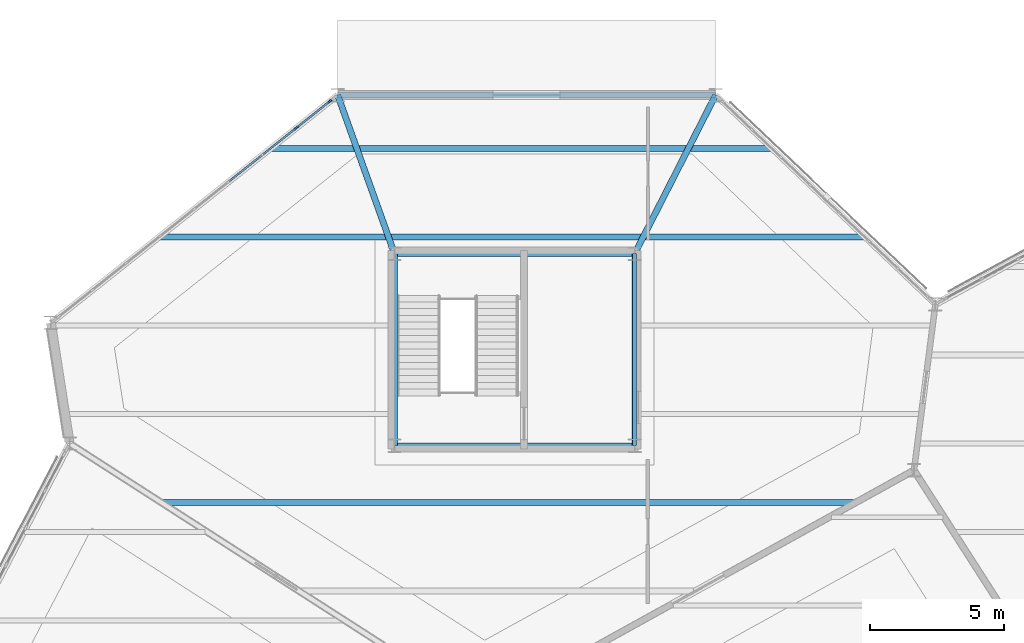
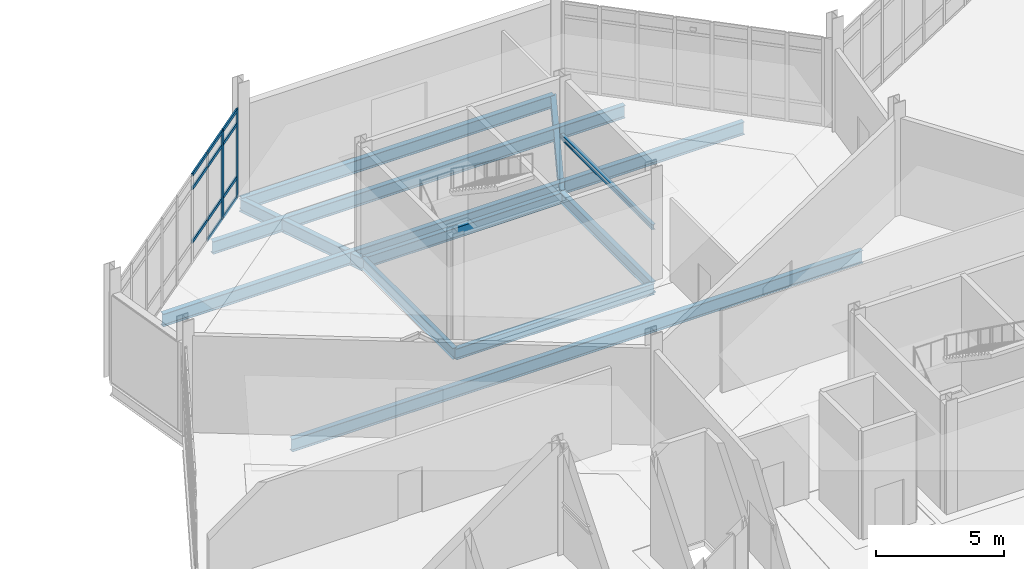
# One storey, part 52 of 113: 13 members, 11 beams, 1 element without a shape of its own.
"""IFC4 building model written with IfcOpenShell, lengths in metres."""

from ifc_helpers import new_model, si_unit, direction, frame, origin, origin_2d, place, context, subcontext, project, spatial, rectangle, i_section, extrude, material, material_profile, profile_set, type_object, element, aggregate, save


model = new_model("IFC4")

# Units and contexts
model_context = context("Model", 3, precision=1e-05, world=origin(), true_north=direction((0.0, 1.0)))
body_context = subcontext(model_context, "Body", "Model", "MODEL_VIEW")
ifc_project = project(units=[si_unit("LENGTHUNIT", "METRE"), si_unit("AREAUNIT", "SQUARE_METRE"), si_unit("VOLUMEUNIT", "CUBIC_METRE"), si_unit("PLANEANGLEUNIT", "RADIAN"), si_unit("MASSUNIT", "GRAM", prefix="KILO")], contexts=[model_context])

# Site, building, storey
site_placement = place(None, origin())
site = spatial("IfcSite", under=ifc_project, at=site_placement, CompositionType="ELEMENT")
building_placement = place(site_placement, origin())
building = spatial("IfcBuilding", under=site, at=building_placement, Name="Tameran Prism Museum", CompositionType="ELEMENT")
storey_placement = place(building_placement, origin())
storey = spatial("IfcBuildingStorey", under=building, at=storey_placement, Name="L00", CompositionType="ELEMENT", Elevation=0.0)

# Beams
ifc_material_1 = material(Name="Steel Grade 300PLUS (300 MPa)", Category="steel")
ifc_material_profile_1 = material_profile(ifc_material_1, i_section(OverallWidth=0.14599609375, OverallDepth=0.256103515625, WebThickness=0.00634765625, FlangeThickness=0.010986328125, FilletRadius=0.0087890625, at=origin_2d()))
ifc_profile_set_1 = profile_set([ifc_material_profile_1])
beam_type_1 = type_object("IfcBeamType", Name="BM-L250", PredefinedType="LINTEL", material=ifc_profile_set_1)
beam_1_placement = place(storey_placement, frame((124.47998046875, 98.919921875, 2.3798828125), z_axis=(0.0, 1.0, 0.0), x_axis=(-1.0, 0.0, 0.0)))
element("IfcBeam", 1, at=beam_1_placement, inside=storey, type_object=beam_type_1, Name="Core Door Lintel LN-03", PredefinedType="LINTEL", context=body_context, shape_type="SweptSolid", body=[
    extrude(i_section(OverallWidth=0.14599609375, OverallDepth=0.256103515625, WebThickness=0.00634765625, FlangeThickness=0.010986328125, FilletRadius=0.0087890625, at=origin_2d()), origin(), (0.0, 0.0, 1.0), 7.16015625),
])
ifc_material_2 = material(Name="Steel Grade 300PLUS (300 MPa)", Category="steel")
ifc_material_profile_2 = material_profile(ifc_material_2, i_section(OverallWidth=0.208984375, OverallDepth=0.528076171875, WebThickness=0.009521484375, FlangeThickness=0.01318359375, FilletRadius=0.013916015625, at=origin_2d()))
ifc_profile_set_2 = profile_set([ifc_material_profile_2])
beam_type_2 = type_object("IfcBeamType", Name="BM-SP530B", PredefinedType="SPANDREL", material=ifc_profile_set_2)
beam_2_placement = place(storey_placement, frame((115.52001953125, 98.919921875, -0.50390625), z_axis=(1.0, 0.0, 0.0), x_axis=(0.0, 1.0, 0.0)))
element("IfcBeam", 2, at=beam_2_placement, inside=storey, type_object=beam_type_2, Name="Core Ring Beam CTB-0110", PredefinedType="SPANDREL", context=body_context, shape_type="SweptSolid", body=[
    extrude(i_section(OverallWidth=0.208984375, OverallDepth=0.528076171875, WebThickness=0.009521484375, FlangeThickness=0.01318359375, FilletRadius=0.013916015625, at=origin_2d()), origin(), (0.0, 0.0, 1.0), 8.9599609375),
])
beam_3_placement = place(storey_placement, frame((124.47998046875, 98.919921875, -0.50390625), z_axis=(0.0, 1.0, 0.0), x_axis=(-1.0, 0.0, 0.0)))
element("IfcBeam", 3, at=beam_3_placement, inside=storey, type_object=beam_type_2, Name="Core Ring Beam CTB-0111", PredefinedType="SPANDREL", context=body_context, shape_type="SweptSolid", body=[
    extrude(i_section(OverallWidth=0.208984375, OverallDepth=0.528076171875, WebThickness=0.009521484375, FlangeThickness=0.01318359375, FilletRadius=0.013916015625, at=origin_2d()), origin(), (0.0, 0.0, 1.0), 7.16015625),
])
beam_4_placement = place(storey_placement, frame((124.47998046875, 106.080078125, -0.50390625), z_axis=(-1.0, 0.0, 0.0), x_axis=(0.0, -1.0, 0.0)))
element("IfcBeam", 4, at=beam_4_placement, inside=storey, type_object=beam_type_2, Name="Core Ring Beam CTB-0112", PredefinedType="SPANDREL", context=body_context, shape_type="SweptSolid", body=[
    extrude(i_section(OverallWidth=0.208984375, OverallDepth=0.528076171875, WebThickness=0.009521484375, FlangeThickness=0.01318359375, FilletRadius=0.013916015625, at=origin_2d()), origin(), (0.0, 0.0, 1.0), 8.9599609375),
])
beam_5_placement = place(storey_placement, frame((115.52001953125, 106.080078125, -0.50390625), z_axis=(0.0, -1.0, 0.0), x_axis=(1.0, 0.0, 0.0)))
element("IfcBeam", 5, at=beam_5_placement, inside=storey, type_object=beam_type_2, Name="Core Ring Beam CTB-0113", PredefinedType="SPANDREL", context=body_context, shape_type="SweptSolid", body=[
    extrude(i_section(OverallWidth=0.208984375, OverallDepth=0.528076171875, WebThickness=0.009521484375, FlangeThickness=0.01318359375, FilletRadius=0.013916015625, at=origin_2d()), origin(), (0.0, 0.0, 1.0), 7.16015625),
])
ifc_material_3 = material(Name="Steel Grade 300PLUS (300 MPa)", Category="steel")
ifc_material_profile_3 = material_profile(ifc_material_3, i_section(OverallWidth=0.22802734375, OverallDepth=0.60205078125, WebThickness=0.010498046875, FlangeThickness=0.014892578125, FilletRadius=0.013916015625, at=origin_2d()))
ifc_profile_set_3 = profile_set([ifc_material_profile_3])
beam_type_3 = type_object("IfcBeamType", Name="BM-SP610", PredefinedType="SPANDREL", material=ifc_profile_set_3)
beam_6_placement = place(storey_placement, frame((127.5, 112.0, -0.541015625), z_axis=(-1.0, 0.0, 0.0), x_axis=(0.0, -1.0, 0.0)))
element("IfcBeam", 6, at=beam_6_placement, inside=storey, type_object=beam_type_3, Name="Perimeter Spandrel SP-0013", PredefinedType="SPANDREL", context=body_context, shape_type="SweptSolid", body=[
    extrude(i_section(OverallWidth=0.22802734375, OverallDepth=0.60205078125, WebThickness=0.010498046875, FlangeThickness=0.014892578125, FilletRadius=0.013916015625, at=origin_2d()), origin(), (0.0, 0.0, 1.0), 14.10009765625),
])
ifc_material_4 = material(Name="Steel Grade 300PLUS (300 MPa)", Category="steel")
ifc_material_profile_4 = material_profile(ifc_material_4, i_section(OverallWidth=0.22900390625, OverallDepth=0.612060546875, WebThickness=0.011962890625, FlangeThickness=0.01953125, FilletRadius=0.013916015625, at=origin_2d()))
ifc_profile_set_4 = profile_set([ifc_material_profile_4])
beam_type_4 = type_object("IfcBeamType", Name="BM-UB610A", PredefinedType="BEAM", material=ifc_profile_set_4)
beam_7_placement = place(storey_placement, frame((124.47998046875, 106.080078125, -0.56005859375), z_axis=(0.454428700182, 0.890783114148, 0.0), x_axis=(-0.890783114148, 0.454428700182, 0.0)))
element("IfcBeam", 7, at=beam_7_placement, inside=storey, type_object=beam_type_4, Name="Frame Tie Girder FG-1398", PredefinedType="BEAM", context=body_context, shape_type="SweptSolid", body=[
    extrude(i_section(OverallWidth=0.22900390625, OverallDepth=0.612060546875, WebThickness=0.011962890625, FlangeThickness=0.01953125, FilletRadius=0.013916015625, at=origin_2d()), origin(), (0.0, 0.0, 1.0), 6.645751953125),
])
beam_8_placement = place(storey_placement, frame((115.52001953125, 106.080078125, -0.56005859375), z_axis=(-0.337162675886, 0.941446403142, 0.0), x_axis=(-0.941446403142, -0.337162675886, 0.0)))
element("IfcBeam", 8, at=beam_8_placement, inside=storey, type_object=beam_type_4, Name="Frame Tie Girder FG-1404", PredefinedType="BEAM", context=body_context, shape_type="SweptSolid", body=[
    extrude(i_section(OverallWidth=0.22900390625, OverallDepth=0.612060546875, WebThickness=0.011962890625, FlangeThickness=0.01953125, FilletRadius=0.013916015625, at=origin_2d()), origin(), (0.0, 0.0, 1.0), 6.2880859375),
])
ifc_material_5 = material(Name="Steel Grade 300PLUS (300 MPa)", Category="steel")
ifc_material_profile_5 = material_profile(ifc_material_5, i_section(OverallWidth=0.22802734375, OverallDepth=0.60693359375, WebThickness=0.01123046875, FlangeThickness=0.017333984375, FilletRadius=0.013916015625, at=origin_2d()))
ifc_profile_set_5 = profile_set([ifc_material_profile_5])
beam_type_5 = type_object("IfcBeamType", Name="BM-UB610B", PredefinedType="BEAM", material=ifc_profile_set_5)
beam_9_placement = place(storey_placement, frame((106.89599609375, 96.800048828125, -0.54345703125), z_axis=(1.0, 0.0, 0.0), x_axis=(0.0, 1.0, 0.0)))
element("IfcBeam", 9, at=beam_9_placement, inside=storey, type_object=beam_type_5, Name="Floor Beam BM-0183", PredefinedType="BEAM", context=body_context, shape_type="SweptSolid", body=[
    extrude(i_section(OverallWidth=0.22802734375, OverallDepth=0.60693359375, WebThickness=0.01123046875, FlangeThickness=0.017333984375, FilletRadius=0.013916015625, at=origin_2d()), origin(), (0.0, 0.0, 1.0), 25.7509765625),
])
beam_10_placement = place(storey_placement, frame((106.79296875, 106.699951171875, -0.54345703125), z_axis=(1.0, 0.0, 0.0), x_axis=(0.0, 1.0, 0.0)))
element("IfcBeam", 10, at=beam_10_placement, inside=storey, type_object=beam_type_5, Name="Floor Beam BM-0188", PredefinedType="BEAM", context=body_context, shape_type="SweptSolid", body=[
    extrude(i_section(OverallWidth=0.22802734375, OverallDepth=0.60693359375, WebThickness=0.01123046875, FlangeThickness=0.017333984375, FilletRadius=0.013916015625, at=origin_2d()), origin(), (0.0, 0.0, 1.0), 26.220947265625),
])
beam_11_placement = place(storey_placement, frame((110.947021484375, 110.0, -0.54345703125), z_axis=(1.0, 0.0, 0.0), x_axis=(0.0, 1.0, 0.0)))
element("IfcBeam", 11, at=beam_11_placement, inside=storey, type_object=beam_type_5, Name="Floor Beam BM-0189", PredefinedType="BEAM", context=body_context, shape_type="SweptSolid", body=[
    extrude(i_section(OverallWidth=0.22802734375, OverallDepth=0.60693359375, WebThickness=0.01123046875, FlangeThickness=0.017333984375, FilletRadius=0.013916015625, at=origin_2d()), origin(), (0.0, 0.0, 1.0), 18.597900390625),
])

# Curtain wall, members
ifc_material_6 = material(Name="Anodised Aluminium 6063-T6 and Cyclone Solar Glass", Category="aluminium")
curtain_wall_type = type_object("IfcCurtainWallType", Name="CW-FAC-1296x422", PredefinedType="USERDEFINED", material=ifc_material_6)
curtain_wall_placement = place(storey_placement, origin())
curtain_wall = element("IfcCurtainWall", 12, at=curtain_wall_placement, inside=storey, type_object=curtain_wall_type, Name="Unitised Curtain Wall CW-024", ObjectType="UNITISED CURTAIN WALL", PredefinedType="USERDEFINED")
ifc_material_7 = material(Name="Anodised Aluminium Alloy 6063-T6", Category="aluminium")
ifc_material_profile_6 = material_profile(ifc_material_7, rectangle(XDim=0.070068359375, YDim=0.179931640625, at=origin_2d()))
ifc_profile_set_6 = profile_set([ifc_material_profile_6])
member_type_1 = type_object("IfcMemberType", Name="CW-MUL-B", PredefinedType="MULLION", material=ifc_profile_set_6)
member_1_placement = place(storey_placement, frame((111.85693359375, 110.77392578125, 0.0), z_axis=(0.0, 0.0, 1.0), x_axis=(-0.621982306183, 0.783031296178, 0.0)))
member_1 = element("IfcMember", 13, at=member_1_placement, type_object=member_type_1, Name="CW-024 mullion 8", PredefinedType="MULLION", context=body_context, shape_type="SweptSolid", body=[
    extrude(rectangle(XDim=0.070068359375, YDim=0.179931640625, at=origin_2d()), origin(), (0.0, 0.0, 1.0), 4.219970703125),
])
member_2_placement = place(storey_placement, frame((113.0986328125, 111.76025390625, 0.0), z_axis=(0.0, 0.0, 1.0), x_axis=(-0.621982306183, 0.783031296178, 0.0)))
member_2 = element("IfcMember", 14, at=member_2_placement, type_object=member_type_1, Name="CW-024 mullion 9", PredefinedType="MULLION", context=body_context, shape_type="SweptSolid", body=[
    extrude(rectangle(XDim=0.070068359375, YDim=0.179931640625, at=origin_2d()), origin(), (0.0, 0.0, 1.0), 4.219970703125),
])
ifc_material_8 = material(Name="Anodised Aluminium Alloy 6063-T6", Category="aluminium")
ifc_material_profile_7 = material_profile(ifc_material_8, rectangle(XDim=0.070068359375, YDim=0.155029296875, at=origin_2d()))
ifc_profile_set_7 = profile_set([ifc_material_profile_7])
member_type_2 = type_object("IfcMemberType", Name="CW-TRN-B", PredefinedType="USERDEFINED", material=ifc_profile_set_7)
member_3_placement = place(storey_placement, frame((109.346435546875, 108.77978515625, 1.0), z_axis=(0.783045436968, 0.621964503524, 0.0), x_axis=(-0.621964503524, 0.783045436968, 0.0)))
member_3 = element("IfcMember", 15, at=member_3_placement, type_object=member_type_2, Name="CW-024 transom 6.2", ObjectType="TRANSOM", PredefinedType="USERDEFINED", context=body_context, shape_type="SweptSolid", body=[
    extrude(rectangle(XDim=0.070068359375, YDim=0.155029296875, at=origin_2d()), origin(), (0.0, 0.0, 1.0), 1.550537109375),
])
member_4_placement = place(storey_placement, frame((109.346435546875, 108.77978515625, 3.5400390625), z_axis=(0.783045436968, 0.621964503524, 0.0), x_axis=(-0.621964503524, 0.783045436968, 0.0)))
member_4 = element("IfcMember", 16, at=member_4_placement, type_object=member_type_2, Name="CW-024 transom 6.3", ObjectType="TRANSOM", PredefinedType="USERDEFINED", context=body_context, shape_type="SweptSolid", body=[
    extrude(rectangle(XDim=0.070068359375, YDim=0.155029296875, at=origin_2d()), origin(), (0.0, 0.0, 1.0), 1.550537109375),
])
member_5_placement = place(storey_placement, frame((109.346435546875, 108.77978515625, 4.18505859375), z_axis=(0.783045436968, 0.621964503524, 0.0), x_axis=(-0.621964503524, 0.783045436968, 0.0)))
member_5 = element("IfcMember", 17, at=member_5_placement, type_object=member_type_2, Name="CW-024 transom 6.4", ObjectType="TRANSOM", PredefinedType="USERDEFINED", context=body_context, shape_type="SweptSolid", body=[
    extrude(rectangle(XDim=0.070068359375, YDim=0.155029296875, at=origin_2d()), origin(), (0.0, 0.0, 1.0), 1.550537109375),
])
member_6_placement = place(storey_placement, frame((110.615478515625, 109.787841796875, 0.034912109375), z_axis=(0.783045436968, 0.621964503524, 0.0), x_axis=(-0.621964503524, 0.783045436968, 0.0)))
member_6 = element("IfcMember", 18, at=member_6_placement, type_object=member_type_2, Name="CW-024 transom 7.1", ObjectType="TRANSOM", PredefinedType="USERDEFINED", context=body_context, shape_type="SweptSolid", body=[
    extrude(rectangle(XDim=0.070068359375, YDim=0.155029296875, at=origin_2d()), origin(), (0.0, 0.0, 1.0), 1.550537109375),
])
member_7_placement = place(storey_placement, frame((110.615478515625, 109.787841796875, 1.0), z_axis=(0.783045436968, 0.621964503524, 0.0), x_axis=(-0.621964503524, 0.783045436968, 0.0)))
member_7 = element("IfcMember", 19, at=member_7_placement, type_object=member_type_2, Name="CW-024 transom 7.2", ObjectType="TRANSOM", PredefinedType="USERDEFINED", context=body_context, shape_type="SweptSolid", body=[
    extrude(rectangle(XDim=0.070068359375, YDim=0.155029296875, at=origin_2d()), origin(), (0.0, 0.0, 1.0), 1.550537109375),
])
member_8_placement = place(storey_placement, frame((110.615478515625, 109.787841796875, 3.5400390625), z_axis=(0.783045436968, 0.621964503524, 0.0), x_axis=(-0.621964503524, 0.783045436968, 0.0)))
member_8 = element("IfcMember", 20, at=member_8_placement, type_object=member_type_2, Name="CW-024 transom 7.3", ObjectType="TRANSOM", PredefinedType="USERDEFINED", context=body_context, shape_type="SweptSolid", body=[
    extrude(rectangle(XDim=0.070068359375, YDim=0.155029296875, at=origin_2d()), origin(), (0.0, 0.0, 1.0), 1.550537109375),
])
member_9_placement = place(storey_placement, frame((110.615478515625, 109.787841796875, 4.18505859375), z_axis=(0.783045436968, 0.621964503524, 0.0), x_axis=(-0.621964503524, 0.783045436968, 0.0)))
member_9 = element("IfcMember", 21, at=member_9_placement, type_object=member_type_2, Name="CW-024 transom 7.4", ObjectType="TRANSOM", PredefinedType="USERDEFINED", context=body_context, shape_type="SweptSolid", body=[
    extrude(rectangle(XDim=0.070068359375, YDim=0.155029296875, at=origin_2d()), origin(), (0.0, 0.0, 1.0), 1.550537109375),
])
member_10_placement = place(storey_placement, frame((111.884521484375, 110.795654296875, 0.034912109375), z_axis=(0.782970092549, 0.622059349398, 0.0), x_axis=(-0.622059349398, 0.782970092549, 0.0)))
member_10 = element("IfcMember", 22, at=member_10_placement, type_object=member_type_2, Name="CW-024 transom 8.1", ObjectType="TRANSOM", PredefinedType="USERDEFINED", context=body_context, shape_type="SweptSolid", body=[
    extrude(rectangle(XDim=0.070068359375, YDim=0.155029296875, at=origin_2d()), origin(), (0.0, 0.0, 1.0), 1.515625),
])
member_11_placement = place(storey_placement, frame((111.884521484375, 110.795654296875, 1.0), z_axis=(0.782970092549, 0.622059349398, 0.0), x_axis=(-0.622059349398, 0.782970092549, 0.0)))
member_11 = element("IfcMember", 23, at=member_11_placement, type_object=member_type_2, Name="CW-024 transom 8.2", ObjectType="TRANSOM", PredefinedType="USERDEFINED", context=body_context, shape_type="SweptSolid", body=[
    extrude(rectangle(XDim=0.070068359375, YDim=0.155029296875, at=origin_2d()), origin(), (0.0, 0.0, 1.0), 1.515625),
])
member_12_placement = place(storey_placement, frame((111.884521484375, 110.795654296875, 3.5400390625), z_axis=(0.782970092549, 0.622059349398, 0.0), x_axis=(-0.622059349398, 0.782970092549, 0.0)))
member_12 = element("IfcMember", 24, at=member_12_placement, type_object=member_type_2, Name="CW-024 transom 8.3", ObjectType="TRANSOM", PredefinedType="USERDEFINED", context=body_context, shape_type="SweptSolid", body=[
    extrude(rectangle(XDim=0.070068359375, YDim=0.155029296875, at=origin_2d()), origin(), (0.0, 0.0, 1.0), 1.515625),
])
member_13_placement = place(storey_placement, frame((111.884521484375, 110.795654296875, 4.18505859375), z_axis=(0.782970092549, 0.622059349398, 0.0), x_axis=(-0.622059349398, 0.782970092549, 0.0)))
member_13 = element("IfcMember", 25, at=member_13_placement, type_object=member_type_2, Name="CW-024 transom 8.4", ObjectType="TRANSOM", PredefinedType="USERDEFINED", context=body_context, shape_type="SweptSolid", body=[
    extrude(rectangle(XDim=0.070068359375, YDim=0.155029296875, at=origin_2d()), origin(), (0.0, 0.0, 1.0), 1.515625),
])
aggregate(curtain_wall, [member_1, member_2, member_3, member_4, member_5, member_6, member_7, member_8, member_9, member_10, member_11, member_12, member_13])

save(model, "model.ifc")
